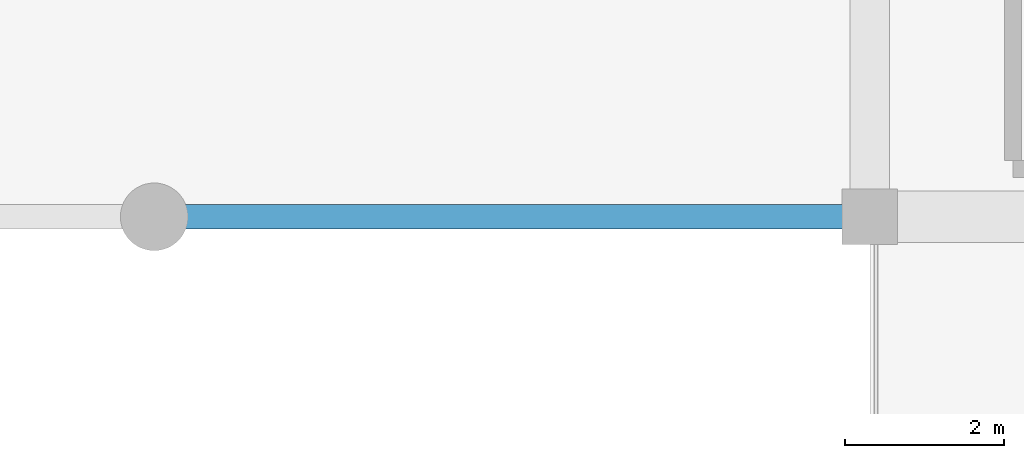
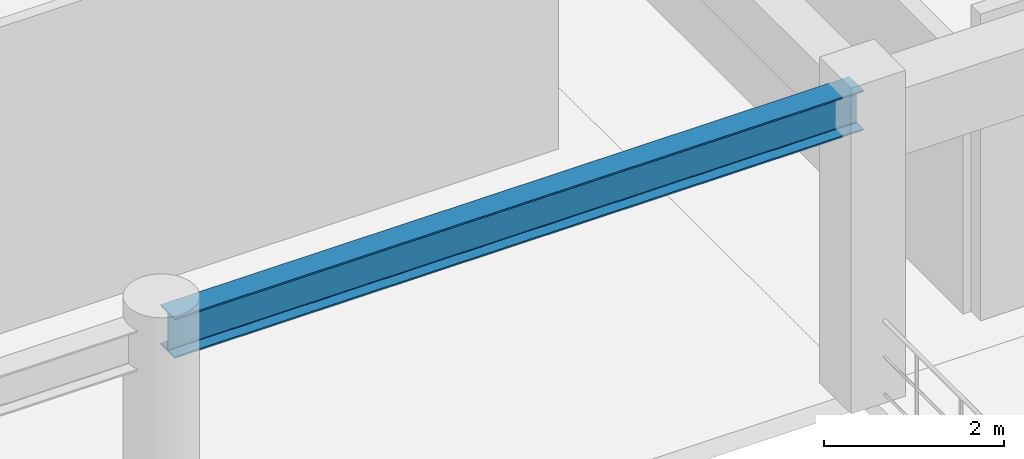
# One storey, part 51 of 133: 1 beam.
"""IFC4 building model written with IfcOpenShell, lengths in metres."""

from ifc_helpers import new_model, si_unit, direction, frame, origin, origin_2d, place, context, subcontext, project, spatial, i_section, extrude, material, material_profile, profile_set, type_object, element, save


model = new_model("IFC4")

# Units and contexts
model_context = context("Model", 3, precision=1e-05, world=origin(), true_north=direction((0.0, 1.0)))
body_context = subcontext(model_context, "Body", "Model", "MODEL_VIEW")
ifc_project = project(units=[si_unit("LENGTHUNIT", "METRE"), si_unit("AREAUNIT", "SQUARE_METRE"), si_unit("VOLUMEUNIT", "CUBIC_METRE"), si_unit("PLANEANGLEUNIT", "RADIAN"), si_unit("MASSUNIT", "GRAM", prefix="KILO")], contexts=[model_context])

# Site, building, storey
site_placement = place(None, origin())
site = spatial("IfcSite", under=ifc_project, at=site_placement, CompositionType="ELEMENT")
building_placement = place(site_placement, origin())
building = spatial("IfcBuilding", under=site, at=building_placement, Name="Miravela Opera House", CompositionType="ELEMENT")
storey_placement = place(building_placement, frame((0.0, 0.0, 5.10009765625)))
storey = spatial("IfcBuildingStorey", under=building, at=storey_placement, Name="L01", CompositionType="ELEMENT", Elevation=5.10009765625)

# Beam
ifc_material = material(Name="Structural steel ASTM A992 Gr. 50", Category="steel")
ifc_material_profile = material_profile(ifc_material, i_section(OverallWidth=0.31201171875, OverallDepth=0.54296875, WebThickness=0.0126953125, FlangeThickness=0.020263671875, FilletRadius=0.01611328125, at=origin_2d()), Name="W530X150")
ifc_profile_set = profile_set([ifc_material_profile])
beam_type = type_object("IfcBeamType", Name="STR-BM-W530X150", PredefinedType="BEAM", material=ifc_profile_set)
beam_placement = place(storey_placement, frame((9.080078125, 84.0, 3.908447265625), z_axis=(1.0, 0.0, 0.0), x_axis=(0.0, 1.0, 0.0)))
element("IfcBeam", 1, at=beam_placement, inside=storey, type_object=beam_type, Name="Roof King-Post Transverse Tie Girder ROOF-V5-NORTH T0.2", PredefinedType="BEAM", context=body_context, shape_type="SweptSolid", body=[
    extrude(i_section(OverallWidth=0.31201171875, OverallDepth=0.54296875, WebThickness=0.0126953125, FlangeThickness=0.020263671875, FilletRadius=0.01611328125, at=origin_2d()), origin(), (0.0, 0.0, 1.0), 8.83984375),
])

save(model, "model.ifc")
